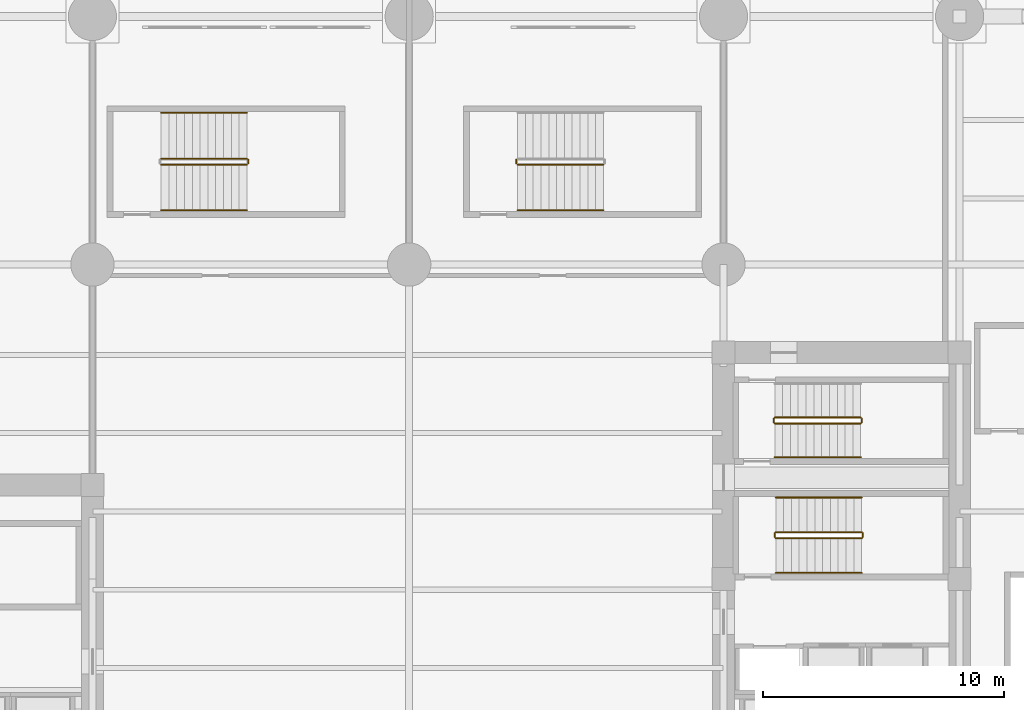
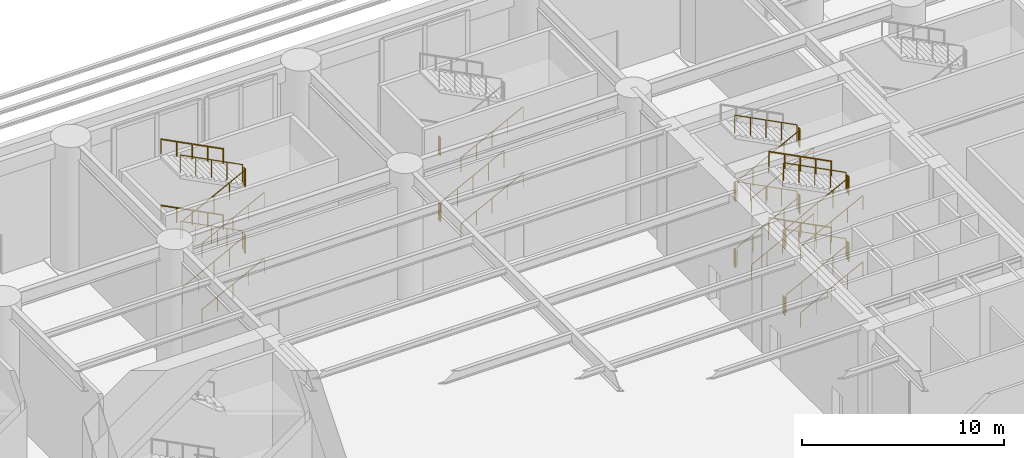
# One storey, part 19 of 25: 37 railings.
"""IFC4 building model written with IfcOpenShell, lengths in metres."""

from ifc_helpers import new_model, si_unit, direction, frame, origin, origin_2d, place, context, subcontext, project, spatial, circle, extrude, material, type_object, element, save


model = new_model("IFC4")

# Units and contexts
model_context = context("Model", 3, precision=1e-05, world=origin(), true_north=direction((0.0, 1.0)))
body_context = subcontext(model_context, "Body", "Model", "MODEL_VIEW")
ifc_project = project(units=[si_unit("LENGTHUNIT", "METRE"), si_unit("AREAUNIT", "SQUARE_METRE"), si_unit("VOLUMEUNIT", "CUBIC_METRE"), si_unit("PLANEANGLEUNIT", "RADIAN"), si_unit("MASSUNIT", "GRAM", prefix="KILO")], contexts=[model_context])

# Site, building, storey
site_placement = place(None, origin())
site = spatial("IfcSite", under=ifc_project, at=site_placement, CompositionType="ELEMENT")
building_placement = place(site_placement, origin())
building = spatial("IfcBuilding", under=site, at=building_placement, Name="Kolvaren Arena Tower", CompositionType="ELEMENT")
storey_placement = place(building_placement, origin())
storey = spatial("IfcBuildingStorey", under=building, at=storey_placement, Name="L00", CompositionType="ELEMENT", Elevation=0.0)

# Railings
ifc_material_1 = material(Name="Painted galvanized steel", Category="steel")
railing_type_1 = type_object("IfcRailingType", Name="GUARD-ST-110", PredefinedType="GUARDRAIL", material=ifc_material_1)
railing_1_placement = place(storey_placement, frame((52.719970703125, 31.639892578125, 0.166748046875)))
element("IfcRailing", 1, at=railing_1_placement, inside=storey, type_object=railing_type_1, Name="L00 ST-E1 stair guard 1", PredefinedType="GUARDRAIL", context=body_context, shape_type="SweptSolid", body=[
    extrude(circle(Radius=0.02392578125, at=origin_2d()), frame((0.0, 0.0, 1.076171875), z_axis=(0.889251698267, 0.0, 0.45741820813), x_axis=(0.0, 1.0, 0.0)), (0.0, 0.0, 1.0), 4.0078125),
    extrude(circle(Radius=0.02099609375, at=origin_2d()), origin(), (0.0, 0.0, 1.0), 1.052001953125),
    extrude(circle(Radius=0.02099609375, at=origin_2d()), frame((0.89111328125, 0.0, 0.458251953125)), (0.0, 0.0, 1.0), 1.052001953125),
    extrude(circle(Radius=0.02099609375, at=origin_2d()), frame((1.781982421875, 0.0, 0.91650390625)), (0.0, 0.0, 1.0), 1.052001953125),
    extrude(circle(Radius=0.02099609375, at=origin_2d()), frame((2.6728515625, 0.0, 1.375)), (0.0, 0.0, 1.0), 1.052001953125),
    extrude(circle(Radius=0.02099609375, at=origin_2d()), frame((3.56396484375, 0.0, 1.833251953125)), (0.0, 0.0, 1.0), 1.052001953125),
])
railing_2_placement = place(storey_placement, frame((56.333984375, 31.68994140625, 2.0)))
element("IfcRailing", 2, at=railing_2_placement, inside=storey, type_object=railing_type_1, Name="L00 ST-E1 stair guard 2", PredefinedType="GUARDRAIL", context=body_context, shape_type="SweptSolid", body=[
    extrude(circle(Radius=0.02392578125, at=origin_2d()), frame((0.0, 0.0, 1.076171875), z_axis=(0.0, 1.0, 0.0), x_axis=(-1.0, 0.0, 0.0)), (0.0, 0.0, 1.0), 0.150146484375),
    extrude(circle(Radius=0.02099609375, at=origin_2d()), origin(), (0.0, 0.0, 1.0), 1.052001953125),
    extrude(circle(Radius=0.02099609375, at=origin_2d()), frame((0.0, 0.150146484375, 0.0)), (0.0, 0.0, 1.0), 1.052001953125),
])
railing_3_placement = place(storey_placement, frame((56.283935546875, 31.889892578125, 2.166748046875)))
element("IfcRailing", 3, at=railing_3_placement, inside=storey, type_object=railing_type_1, Name="L00 ST-E1 stair guard 3", PredefinedType="GUARDRAIL", context=body_context, shape_type="SweptSolid", body=[
    extrude(circle(Radius=0.02392578125, at=origin_2d()), frame((0.0, 0.0, 1.076171875), z_axis=(-0.889251698267, 0.0, 0.45741820813), x_axis=(0.0, -1.0, 0.0)), (0.0, 0.0, 1.0), 4.0078125),
    extrude(circle(Radius=0.02099609375, at=origin_2d()), origin(), (0.0, 0.0, 1.0), 1.052001953125),
    extrude(circle(Radius=0.02099609375, at=origin_2d()), frame((-0.89111328125, 0.0, 0.458251953125)), (0.0, 0.0, 1.0), 1.052001953125),
    extrude(circle(Radius=0.02099609375, at=origin_2d()), frame((-1.781982421875, 0.0, 0.91650390625)), (0.0, 0.0, 1.0), 1.052001953125),
    extrude(circle(Radius=0.02099609375, at=origin_2d()), frame((-2.6728515625, 0.0, 1.375)), (0.0, 0.0, 1.0), 1.052001953125),
    extrude(circle(Radius=0.02099609375, at=origin_2d()), frame((-3.56396484375, 0.0, 1.833251953125)), (0.0, 0.0, 1.0), 1.052001953125),
])
railing_4_placement = place(storey_placement, frame((52.669921875, 31.68994140625, 4.0)))
element("IfcRailing", 4, at=railing_4_placement, inside=storey, type_object=railing_type_1, Name="L00 ST-E1 stair guard 4", PredefinedType="GUARDRAIL", context=body_context, shape_type="SweptSolid", body=[
    extrude(circle(Radius=0.02392578125, at=origin_2d()), frame((0.0, 0.0, 1.076171875), z_axis=(0.0, 1.0, 0.0), x_axis=(-1.0, 0.0, 0.0)), (0.0, 0.0, 1.0), 0.150146484375),
    extrude(circle(Radius=0.02099609375, at=origin_2d()), origin(), (0.0, 0.0, 1.0), 1.052001953125),
    extrude(circle(Radius=0.02099609375, at=origin_2d()), frame((0.0, 0.150146484375, 0.0)), (0.0, 0.0, 1.0), 1.052001953125),
])
railing_5_placement = place(storey_placement, frame((52.719970703125, 31.639892578125, 4.166748046875)))
element("IfcRailing", 5, at=railing_5_placement, inside=storey, type_object=railing_type_1, Name="L00 ST-E1 stair guard 5", PredefinedType="GUARDRAIL", context=body_context, shape_type="SweptSolid", body=[
    extrude(circle(Radius=0.02392578125, at=origin_2d()), frame((0.0, 0.0, 1.076171875), z_axis=(0.889251698267, 0.0, 0.45741820813), x_axis=(0.0, 1.0, 0.0)), (0.0, 0.0, 1.0), 4.0078125),
    extrude(circle(Radius=0.02099609375, at=origin_2d()), origin(), (0.0, 0.0, 1.0), 1.052001953125),
    extrude(circle(Radius=0.02099609375, at=origin_2d()), frame((0.89111328125, 0.0, 0.458251953125)), (0.0, 0.0, 1.0), 1.052001953125),
    extrude(circle(Radius=0.02099609375, at=origin_2d()), frame((1.781982421875, 0.0, 0.91650390625)), (0.0, 0.0, 1.0), 1.052001953125),
    extrude(circle(Radius=0.02099609375, at=origin_2d()), frame((2.6728515625, 0.0, 1.375)), (0.0, 0.0, 1.0), 1.052001953125),
    extrude(circle(Radius=0.02099609375, at=origin_2d()), frame((3.56396484375, 0.0, 1.833251953125)), (0.0, 0.0, 1.0), 1.052001953125),
])
railing_6_placement = place(storey_placement, frame((56.333984375, 31.68994140625, 6.0)))
element("IfcRailing", 6, at=railing_6_placement, inside=storey, type_object=railing_type_1, Name="L00 ST-E1 stair guard 6", PredefinedType="GUARDRAIL", context=body_context, shape_type="SweptSolid", body=[
    extrude(circle(Radius=0.02392578125, at=origin_2d()), frame((0.0, 0.0, 1.076171875), z_axis=(0.0, 1.0, 0.0), x_axis=(-1.0, 0.0, 0.0)), (0.0, 0.0, 1.0), 0.150146484375),
    extrude(circle(Radius=0.02099609375, at=origin_2d()), origin(), (0.0, 0.0, 1.0), 1.052001953125),
    extrude(circle(Radius=0.02099609375, at=origin_2d()), frame((0.0, 0.150146484375, 0.0)), (0.0, 0.0, 1.0), 1.052001953125),
])
railing_7_placement = place(storey_placement, frame((56.283935546875, 31.889892578125, 6.166748046875)))
element("IfcRailing", 7, at=railing_7_placement, inside=storey, type_object=railing_type_1, Name="L00 ST-E1 stair guard 7", PredefinedType="GUARDRAIL", context=body_context, shape_type="SweptSolid", body=[
    extrude(circle(Radius=0.02392578125, at=origin_2d()), frame((0.0, 0.0, 1.076171875), z_axis=(-0.889251698267, 0.0, 0.45741820813), x_axis=(0.0, -1.0, 0.0)), (0.0, 0.0, 1.0), 4.0078125),
    extrude(circle(Radius=0.02099609375, at=origin_2d()), origin(), (0.0, 0.0, 1.0), 1.052001953125),
    extrude(circle(Radius=0.02099609375, at=origin_2d()), frame((-0.89111328125, 0.0, 0.458251953125)), (0.0, 0.0, 1.0), 1.052001953125),
    extrude(circle(Radius=0.02099609375, at=origin_2d()), frame((-1.781982421875, 0.0, 0.91650390625)), (0.0, 0.0, 1.0), 1.052001953125),
    extrude(circle(Radius=0.02099609375, at=origin_2d()), frame((-2.6728515625, 0.0, 1.375)), (0.0, 0.0, 1.0), 1.052001953125),
    extrude(circle(Radius=0.02099609375, at=origin_2d()), frame((-3.56396484375, 0.0, 1.833251953125)), (0.0, 0.0, 1.0), 1.052001953125),
])
railing_8_placement = place(storey_placement, frame((52.669921875, 31.68994140625, 0.0)))
element("IfcRailing", 8, at=railing_8_placement, inside=storey, type_object=railing_type_1, Name="L00 ST-E1 stair guard 8", PredefinedType="GUARDRAIL", context=body_context, shape_type="SweptSolid", body=[
    extrude(circle(Radius=0.02392578125, at=origin_2d()), frame((0.0, 0.0, 1.076171875), z_axis=(0.0, 1.0, 0.0), x_axis=(-1.0, 0.0, 0.0)), (0.0, 0.0, 1.0), 0.150146484375),
    extrude(circle(Radius=0.02099609375, at=origin_2d()), origin(), (0.0, 0.0, 1.0), 1.052001953125),
    extrude(circle(Radius=0.02099609375, at=origin_2d()), frame((0.0, 0.150146484375, 0.0)), (0.0, 0.0, 1.0), 1.052001953125),
])
railing_9_placement = place(storey_placement, frame((52.679931640625, 36.39990234375, 0.166748046875)))
element("IfcRailing", 9, at=railing_9_placement, inside=storey, type_object=railing_type_1, Name="L00 ST-E2 stair guard 1", PredefinedType="GUARDRAIL", context=body_context, shape_type="SweptSolid", body=[
    extrude(circle(Radius=0.02392578125, at=origin_2d()), frame((0.0, 0.0, 1.076171875), z_axis=(0.889251698267, 0.0, 0.45741820813), x_axis=(0.0, 1.0, 0.0)), (0.0, 0.0, 1.0), 4.0078125),
    extrude(circle(Radius=0.02099609375, at=origin_2d()), origin(), (0.0, 0.0, 1.0), 1.052001953125),
    extrude(circle(Radius=0.02099609375, at=origin_2d()), frame((0.89111328125, 0.0, 0.458251953125)), (0.0, 0.0, 1.0), 1.052001953125),
    extrude(circle(Radius=0.02099609375, at=origin_2d()), frame((1.781982421875, 0.0, 0.91650390625)), (0.0, 0.0, 1.0), 1.052001953125),
    extrude(circle(Radius=0.02099609375, at=origin_2d()), frame((2.6728515625, 0.0, 1.375)), (0.0, 0.0, 1.0), 1.052001953125),
    extrude(circle(Radius=0.02099609375, at=origin_2d()), frame((3.56396484375, 0.0, 1.833251953125)), (0.0, 0.0, 1.0), 1.052001953125),
])
railing_10_placement = place(storey_placement, frame((56.2939453125, 36.449951171875, 2.0)))
element("IfcRailing", 10, at=railing_10_placement, inside=storey, type_object=railing_type_1, Name="L00 ST-E2 stair guard 2", PredefinedType="GUARDRAIL", context=body_context, shape_type="SweptSolid", body=[
    extrude(circle(Radius=0.02392578125, at=origin_2d()), frame((0.0, 0.0, 1.076171875), z_axis=(0.0, 1.0, 0.0), x_axis=(-1.0, 0.0, 0.0)), (0.0, 0.0, 1.0), 0.150146484375),
    extrude(circle(Radius=0.02099609375, at=origin_2d()), origin(), (0.0, 0.0, 1.0), 1.052001953125),
    extrude(circle(Radius=0.02099609375, at=origin_2d()), frame((0.0, 0.150146484375, 0.0)), (0.0, 0.0, 1.0), 1.052001953125),
])
railing_11_placement = place(storey_placement, frame((56.243896484375, 36.64990234375, 2.166748046875)))
element("IfcRailing", 11, at=railing_11_placement, inside=storey, type_object=railing_type_1, Name="L00 ST-E2 stair guard 3", PredefinedType="GUARDRAIL", context=body_context, shape_type="SweptSolid", body=[
    extrude(circle(Radius=0.02392578125, at=origin_2d()), frame((0.0, 0.0, 1.076171875), z_axis=(-0.889251698267, 0.0, 0.45741820813), x_axis=(0.0, -1.0, 0.0)), (0.0, 0.0, 1.0), 4.0078125),
    extrude(circle(Radius=0.02099609375, at=origin_2d()), origin(), (0.0, 0.0, 1.0), 1.052001953125),
    extrude(circle(Radius=0.02099609375, at=origin_2d()), frame((-0.89111328125, 0.0, 0.458251953125)), (0.0, 0.0, 1.0), 1.052001953125),
    extrude(circle(Radius=0.02099609375, at=origin_2d()), frame((-1.781982421875, 0.0, 0.91650390625)), (0.0, 0.0, 1.0), 1.052001953125),
    extrude(circle(Radius=0.02099609375, at=origin_2d()), frame((-2.6728515625, 0.0, 1.375)), (0.0, 0.0, 1.0), 1.052001953125),
    extrude(circle(Radius=0.02099609375, at=origin_2d()), frame((-3.56396484375, 0.0, 1.833251953125)), (0.0, 0.0, 1.0), 1.052001953125),
])
railing_12_placement = place(storey_placement, frame((52.6298828125, 36.449951171875, 4.0)))
element("IfcRailing", 12, at=railing_12_placement, inside=storey, type_object=railing_type_1, Name="L00 ST-E2 stair guard 4", PredefinedType="GUARDRAIL", context=body_context, shape_type="SweptSolid", body=[
    extrude(circle(Radius=0.02392578125, at=origin_2d()), frame((0.0, 0.0, 1.076171875), z_axis=(0.0, 1.0, 0.0), x_axis=(-1.0, 0.0, 0.0)), (0.0, 0.0, 1.0), 0.150146484375),
    extrude(circle(Radius=0.02099609375, at=origin_2d()), origin(), (0.0, 0.0, 1.0), 1.052001953125),
    extrude(circle(Radius=0.02099609375, at=origin_2d()), frame((0.0, 0.150146484375, 0.0)), (0.0, 0.0, 1.0), 1.052001953125),
])
railing_13_placement = place(storey_placement, frame((52.679931640625, 36.39990234375, 4.166748046875)))
element("IfcRailing", 13, at=railing_13_placement, inside=storey, type_object=railing_type_1, Name="L00 ST-E2 stair guard 5", PredefinedType="GUARDRAIL", context=body_context, shape_type="SweptSolid", body=[
    extrude(circle(Radius=0.02392578125, at=origin_2d()), frame((0.0, 0.0, 1.076171875), z_axis=(0.889251698267, 0.0, 0.45741820813), x_axis=(0.0, 1.0, 0.0)), (0.0, 0.0, 1.0), 4.0078125),
    extrude(circle(Radius=0.02099609375, at=origin_2d()), origin(), (0.0, 0.0, 1.0), 1.052001953125),
    extrude(circle(Radius=0.02099609375, at=origin_2d()), frame((0.89111328125, 0.0, 0.458251953125)), (0.0, 0.0, 1.0), 1.052001953125),
    extrude(circle(Radius=0.02099609375, at=origin_2d()), frame((1.781982421875, 0.0, 0.91650390625)), (0.0, 0.0, 1.0), 1.052001953125),
    extrude(circle(Radius=0.02099609375, at=origin_2d()), frame((2.6728515625, 0.0, 1.375)), (0.0, 0.0, 1.0), 1.052001953125),
    extrude(circle(Radius=0.02099609375, at=origin_2d()), frame((3.56396484375, 0.0, 1.833251953125)), (0.0, 0.0, 1.0), 1.052001953125),
])
railing_14_placement = place(storey_placement, frame((56.2939453125, 36.449951171875, 6.0)))
element("IfcRailing", 14, at=railing_14_placement, inside=storey, type_object=railing_type_1, Name="L00 ST-E2 stair guard 6", PredefinedType="GUARDRAIL", context=body_context, shape_type="SweptSolid", body=[
    extrude(circle(Radius=0.02392578125, at=origin_2d()), frame((0.0, 0.0, 1.076171875), z_axis=(0.0, 1.0, 0.0), x_axis=(-1.0, 0.0, 0.0)), (0.0, 0.0, 1.0), 0.150146484375),
    extrude(circle(Radius=0.02099609375, at=origin_2d()), origin(), (0.0, 0.0, 1.0), 1.052001953125),
    extrude(circle(Radius=0.02099609375, at=origin_2d()), frame((0.0, 0.150146484375, 0.0)), (0.0, 0.0, 1.0), 1.052001953125),
])
railing_15_placement = place(storey_placement, frame((56.243896484375, 36.64990234375, 6.166748046875)))
element("IfcRailing", 15, at=railing_15_placement, inside=storey, type_object=railing_type_1, Name="L00 ST-E2 stair guard 7", PredefinedType="GUARDRAIL", context=body_context, shape_type="SweptSolid", body=[
    extrude(circle(Radius=0.02392578125, at=origin_2d()), frame((0.0, 0.0, 1.076171875), z_axis=(-0.889251698267, 0.0, 0.45741820813), x_axis=(0.0, -1.0, 0.0)), (0.0, 0.0, 1.0), 4.0078125),
    extrude(circle(Radius=0.02099609375, at=origin_2d()), origin(), (0.0, 0.0, 1.0), 1.052001953125),
    extrude(circle(Radius=0.02099609375, at=origin_2d()), frame((-0.89111328125, 0.0, 0.458251953125)), (0.0, 0.0, 1.0), 1.052001953125),
    extrude(circle(Radius=0.02099609375, at=origin_2d()), frame((-1.781982421875, 0.0, 0.91650390625)), (0.0, 0.0, 1.0), 1.052001953125),
    extrude(circle(Radius=0.02099609375, at=origin_2d()), frame((-2.6728515625, 0.0, 1.375)), (0.0, 0.0, 1.0), 1.052001953125),
    extrude(circle(Radius=0.02099609375, at=origin_2d()), frame((-3.56396484375, 0.0, 1.833251953125)), (0.0, 0.0, 1.0), 1.052001953125),
])
railing_16_placement = place(storey_placement, frame((52.6298828125, 36.449951171875, 0.0)))
element("IfcRailing", 16, at=railing_16_placement, inside=storey, type_object=railing_type_1, Name="L00 ST-E2 stair guard 8", PredefinedType="GUARDRAIL", context=body_context, shape_type="SweptSolid", body=[
    extrude(circle(Radius=0.02392578125, at=origin_2d()), frame((0.0, 0.0, 1.076171875), z_axis=(0.0, 1.0, 0.0), x_axis=(-1.0, 0.0, 0.0)), (0.0, 0.0, 1.0), 0.150146484375),
    extrude(circle(Radius=0.02099609375, at=origin_2d()), origin(), (0.0, 0.0, 1.0), 1.052001953125),
    extrude(circle(Radius=0.02099609375, at=origin_2d()), frame((0.0, 0.150146484375, 0.0)), (0.0, 0.0, 1.0), 1.052001953125),
])
railing_17_placement = place(storey_placement, frame((27.199951171875, 47.14990234375, 0.166748046875)))
element("IfcRailing", 17, at=railing_17_placement, inside=storey, type_object=railing_type_1, Name="L00 ST-A6 stair guard 1", PredefinedType="GUARDRAIL", context=body_context, shape_type="SweptSolid", body=[
    extrude(circle(Radius=0.02392578125, at=origin_2d()), frame((0.0, 0.0, 1.076171875), z_axis=(0.889251698267, 0.0, 0.45741820813), x_axis=(0.0, 1.0, 0.0)), (0.0, 0.0, 1.0), 4.0078125),
    extrude(circle(Radius=0.02099609375, at=origin_2d()), origin(), (0.0, 0.0, 1.0), 1.052001953125),
    extrude(circle(Radius=0.02099609375, at=origin_2d()), frame((0.89111328125, 0.0, 0.458251953125)), (0.0, 0.0, 1.0), 1.052001953125),
    extrude(circle(Radius=0.02099609375, at=origin_2d()), frame((1.781982421875, 0.0, 0.91650390625)), (0.0, 0.0, 1.0), 1.052001953125),
    extrude(circle(Radius=0.02099609375, at=origin_2d()), frame((2.6728515625, 0.0, 1.375)), (0.0, 0.0, 1.0), 1.052001953125),
    extrude(circle(Radius=0.02099609375, at=origin_2d()), frame((3.56396484375, 0.0, 1.833251953125)), (0.0, 0.0, 1.0), 1.052001953125),
])
railing_18_placement = place(storey_placement, frame((30.81396484375, 47.199951171875, 2.0)))
element("IfcRailing", 18, at=railing_18_placement, inside=storey, type_object=railing_type_1, Name="L00 ST-A6 stair guard 2", PredefinedType="GUARDRAIL", context=body_context, shape_type="SweptSolid", body=[
    extrude(circle(Radius=0.02392578125, at=origin_2d()), frame((0.0, 0.0, 1.076171875), z_axis=(0.0, 1.0, 0.0), x_axis=(-1.0, 0.0, 0.0)), (0.0, 0.0, 1.0), 0.150146484375),
    extrude(circle(Radius=0.02099609375, at=origin_2d()), origin(), (0.0, 0.0, 1.0), 1.052001953125),
    extrude(circle(Radius=0.02099609375, at=origin_2d()), frame((0.0, 0.150146484375, 0.0)), (0.0, 0.0, 1.0), 1.052001953125),
])
railing_19_placement = place(storey_placement, frame((30.763916015625, 47.39990234375, 2.166748046875)))
element("IfcRailing", 19, at=railing_19_placement, inside=storey, type_object=railing_type_1, Name="L00 ST-A6 stair guard 3", PredefinedType="GUARDRAIL", context=body_context, shape_type="SweptSolid", body=[
    extrude(circle(Radius=0.02392578125, at=origin_2d()), frame((0.0, 0.0, 1.076171875), z_axis=(-0.889251698267, 0.0, 0.45741820813), x_axis=(0.0, -1.0, 0.0)), (0.0, 0.0, 1.0), 4.0078125),
    extrude(circle(Radius=0.02099609375, at=origin_2d()), origin(), (0.0, 0.0, 1.0), 1.052001953125),
    extrude(circle(Radius=0.02099609375, at=origin_2d()), frame((-0.89111328125, 0.0, 0.458251953125)), (0.0, 0.0, 1.0), 1.052001953125),
    extrude(circle(Radius=0.02099609375, at=origin_2d()), frame((-1.781982421875, 0.0, 0.91650390625)), (0.0, 0.0, 1.0), 1.052001953125),
    extrude(circle(Radius=0.02099609375, at=origin_2d()), frame((-2.6728515625, 0.0, 1.375)), (0.0, 0.0, 1.0), 1.052001953125),
    extrude(circle(Radius=0.02099609375, at=origin_2d()), frame((-3.56396484375, 0.0, 1.833251953125)), (0.0, 0.0, 1.0), 1.052001953125),
])
railing_20_placement = place(storey_placement, frame((27.199951171875, 47.14990234375, 4.166748046875)))
element("IfcRailing", 20, at=railing_20_placement, inside=storey, type_object=railing_type_1, Name="L00 ST-A6 stair guard 5", PredefinedType="GUARDRAIL", context=body_context, shape_type="SweptSolid", body=[
    extrude(circle(Radius=0.02392578125, at=origin_2d()), frame((0.0, 0.0, 1.076171875), z_axis=(0.889251698267, 0.0, 0.45741820813), x_axis=(0.0, 1.0, 0.0)), (0.0, 0.0, 1.0), 4.0078125),
    extrude(circle(Radius=0.02099609375, at=origin_2d()), origin(), (0.0, 0.0, 1.0), 1.052001953125),
    extrude(circle(Radius=0.02099609375, at=origin_2d()), frame((0.89111328125, 0.0, 0.458251953125)), (0.0, 0.0, 1.0), 1.052001953125),
    extrude(circle(Radius=0.02099609375, at=origin_2d()), frame((1.781982421875, 0.0, 0.91650390625)), (0.0, 0.0, 1.0), 1.052001953125),
    extrude(circle(Radius=0.02099609375, at=origin_2d()), frame((2.6728515625, 0.0, 1.375)), (0.0, 0.0, 1.0), 1.052001953125),
    extrude(circle(Radius=0.02099609375, at=origin_2d()), frame((3.56396484375, 0.0, 1.833251953125)), (0.0, 0.0, 1.0), 1.052001953125),
])
railing_21_placement = place(storey_placement, frame((30.81396484375, 47.199951171875, 6.0)))
element("IfcRailing", 21, at=railing_21_placement, inside=storey, type_object=railing_type_1, Name="L00 ST-A6 stair guard 6", PredefinedType="GUARDRAIL", context=body_context, shape_type="SweptSolid", body=[
    extrude(circle(Radius=0.02392578125, at=origin_2d()), frame((0.0, 0.0, 1.076171875), z_axis=(0.0, 1.0, 0.0), x_axis=(-1.0, 0.0, 0.0)), (0.0, 0.0, 1.0), 0.150146484375),
    extrude(circle(Radius=0.02099609375, at=origin_2d()), origin(), (0.0, 0.0, 1.0), 1.052001953125),
    extrude(circle(Radius=0.02099609375, at=origin_2d()), frame((0.0, 0.150146484375, 0.0)), (0.0, 0.0, 1.0), 1.052001953125),
])
railing_22_placement = place(storey_placement, frame((30.763916015625, 47.39990234375, 6.166748046875)))
element("IfcRailing", 22, at=railing_22_placement, inside=storey, type_object=railing_type_1, Name="L00 ST-A6 stair guard 7", PredefinedType="GUARDRAIL", context=body_context, shape_type="SweptSolid", body=[
    extrude(circle(Radius=0.02392578125, at=origin_2d()), frame((0.0, 0.0, 1.076171875), z_axis=(-0.889251698267, 0.0, 0.45741820813), x_axis=(0.0, -1.0, 0.0)), (0.0, 0.0, 1.0), 4.0078125),
    extrude(circle(Radius=0.02099609375, at=origin_2d()), origin(), (0.0, 0.0, 1.0), 1.052001953125),
    extrude(circle(Radius=0.02099609375, at=origin_2d()), frame((-0.89111328125, 0.0, 0.458251953125)), (0.0, 0.0, 1.0), 1.052001953125),
    extrude(circle(Radius=0.02099609375, at=origin_2d()), frame((-1.781982421875, 0.0, 0.91650390625)), (0.0, 0.0, 1.0), 1.052001953125),
    extrude(circle(Radius=0.02099609375, at=origin_2d()), frame((-2.6728515625, 0.0, 1.375)), (0.0, 0.0, 1.0), 1.052001953125),
    extrude(circle(Radius=0.02099609375, at=origin_2d()), frame((-3.56396484375, 0.0, 1.833251953125)), (0.0, 0.0, 1.0), 1.052001953125),
])
railing_23_placement = place(storey_placement, frame((42.0, 47.14990234375, 0.166748046875)))
element("IfcRailing", 23, at=railing_23_placement, inside=storey, type_object=railing_type_1, Name="L00 ST-A7 stair guard 1", PredefinedType="GUARDRAIL", context=body_context, shape_type="SweptSolid", body=[
    extrude(circle(Radius=0.02392578125, at=origin_2d()), frame((0.0, 0.0, 1.076171875), z_axis=(0.889251698267, 0.0, 0.45741820813), x_axis=(0.0, 1.0, 0.0)), (0.0, 0.0, 1.0), 4.0078125),
    extrude(circle(Radius=0.02099609375, at=origin_2d()), origin(), (0.0, 0.0, 1.0), 1.052001953125),
    extrude(circle(Radius=0.02099609375, at=origin_2d()), frame((0.89111328125, 0.0, 0.458251953125)), (0.0, 0.0, 1.0), 1.052001953125),
    extrude(circle(Radius=0.02099609375, at=origin_2d()), frame((1.781982421875, 0.0, 0.91650390625)), (0.0, 0.0, 1.0), 1.052001953125),
    extrude(circle(Radius=0.02099609375, at=origin_2d()), frame((2.6728515625, 0.0, 1.375)), (0.0, 0.0, 1.0), 1.052001953125),
    extrude(circle(Radius=0.02099609375, at=origin_2d()), frame((3.56396484375, 0.0, 1.833251953125)), (0.0, 0.0, 1.0), 1.052001953125),
])
for number, where, name in (
    (24, (41.949951171875, 47.199951171875, 4.0), "L00 ST-A7 stair guard 4"),
    (25, (41.949951171875, 47.199951171875, 0.0), "L00 ST-A7 stair guard 8"),
):
    element("IfcRailing", number, at=place(storey_placement, frame(where)), inside=storey, type_object=railing_type_1, Name=name, PredefinedType="GUARDRAIL", context=body_context, shape_type="SweptSolid", body=[
        extrude(circle(Radius=0.02392578125, at=origin_2d()), frame((0.0, 0.0, 1.076171875), z_axis=(0.0, 1.0, 0.0), x_axis=(-1.0, 0.0, 0.0)), (0.0, 0.0, 1.0), 0.150146484375),
        extrude(circle(Radius=0.02099609375, at=origin_2d()), origin(), (0.0, 0.0, 1.0), 1.052001953125),
        extrude(circle(Radius=0.02099609375, at=origin_2d()), frame((0.0, 0.150146484375, 0.0)), (0.0, 0.0, 1.0), 1.052001953125),
    ])
ifc_material_2 = material(Name="Brushed stainless steel handrail", Category="steel")
railing_type_2 = type_object("IfcRailingType", Name="HRAIL-900", PredefinedType="HANDRAIL", material=ifc_material_2)
railing_24_placement = place(storey_placement, frame((52.719970703125, 30.199951171875, 0.166748046875)))
element("IfcRailing", 26, at=railing_24_placement, inside=storey, type_object=railing_type_2, Name="L00 ST-E1 stair handrail 1", PredefinedType="HANDRAIL", context=body_context, shape_type="SweptSolid", body=[
    extrude(circle(Radius=0.02392578125, at=origin_2d()), frame((0.0, 0.0, 0.8759765625), z_axis=(0.889251698267, 0.0, 0.45741820813), x_axis=(0.0, 1.0, 0.0)), (0.0, 0.0, 1.0), 4.0078125),
    extrude(circle(Radius=0.02099609375, at=origin_2d()), origin(), (0.0, 0.0, 1.0), 0.851806640625),
    extrude(circle(Radius=0.02099609375, at=origin_2d()), frame((0.89111328125, 0.0, 0.458251953125)), (0.0, 0.0, 1.0), 0.851806640625),
    extrude(circle(Radius=0.02099609375, at=origin_2d()), frame((1.781982421875, 0.0, 0.91650390625)), (0.0, 0.0, 1.0), 0.851806640625),
    extrude(circle(Radius=0.02099609375, at=origin_2d()), frame((2.6728515625, 0.0, 1.375)), (0.0, 0.0, 1.0), 0.851806640625),
    extrude(circle(Radius=0.02099609375, at=origin_2d()), frame((3.56396484375, 0.0, 1.833251953125)), (0.0, 0.0, 1.0), 0.851806640625),
])
railing_25_placement = place(storey_placement, frame((56.283935546875, 33.330078125, 2.166748046875)))
element("IfcRailing", 27, at=railing_25_placement, inside=storey, type_object=railing_type_2, Name="L00 ST-E1 stair handrail 2", PredefinedType="HANDRAIL", context=body_context, shape_type="SweptSolid", body=[
    extrude(circle(Radius=0.02392578125, at=origin_2d()), frame((0.0, 0.0, 0.8759765625), z_axis=(-0.889251698267, 0.0, 0.45741820813), x_axis=(0.0, -1.0, 0.0)), (0.0, 0.0, 1.0), 4.0078125),
    extrude(circle(Radius=0.02099609375, at=origin_2d()), origin(), (0.0, 0.0, 1.0), 0.851806640625),
    extrude(circle(Radius=0.02099609375, at=origin_2d()), frame((-0.89111328125, 0.0, 0.458251953125)), (0.0, 0.0, 1.0), 0.851806640625),
    extrude(circle(Radius=0.02099609375, at=origin_2d()), frame((-1.781982421875, 0.0, 0.91650390625)), (0.0, 0.0, 1.0), 0.851806640625),
    extrude(circle(Radius=0.02099609375, at=origin_2d()), frame((-2.6728515625, 0.0, 1.375)), (0.0, 0.0, 1.0), 0.851806640625),
    extrude(circle(Radius=0.02099609375, at=origin_2d()), frame((-3.56396484375, 0.0, 1.833251953125)), (0.0, 0.0, 1.0), 0.851806640625),
])
railing_26_placement = place(storey_placement, frame((52.719970703125, 30.199951171875, 4.166748046875)))
element("IfcRailing", 28, at=railing_26_placement, inside=storey, type_object=railing_type_2, Name="L00 ST-E1 stair handrail 3", PredefinedType="HANDRAIL", context=body_context, shape_type="SweptSolid", body=[
    extrude(circle(Radius=0.02392578125, at=origin_2d()), frame((0.0, 0.0, 0.8759765625), z_axis=(0.889251698267, 0.0, 0.45741820813), x_axis=(0.0, 1.0, 0.0)), (0.0, 0.0, 1.0), 4.0078125),
    extrude(circle(Radius=0.02099609375, at=origin_2d()), origin(), (0.0, 0.0, 1.0), 0.851806640625),
    extrude(circle(Radius=0.02099609375, at=origin_2d()), frame((0.89111328125, 0.0, 0.458251953125)), (0.0, 0.0, 1.0), 0.851806640625),
    extrude(circle(Radius=0.02099609375, at=origin_2d()), frame((1.781982421875, 0.0, 0.91650390625)), (0.0, 0.0, 1.0), 0.851806640625),
    extrude(circle(Radius=0.02099609375, at=origin_2d()), frame((2.6728515625, 0.0, 1.375)), (0.0, 0.0, 1.0), 0.851806640625),
    extrude(circle(Radius=0.02099609375, at=origin_2d()), frame((3.56396484375, 0.0, 1.833251953125)), (0.0, 0.0, 1.0), 0.851806640625),
])
railing_27_placement = place(storey_placement, frame((56.283935546875, 33.330078125, 6.166748046875)))
element("IfcRailing", 29, at=railing_27_placement, inside=storey, type_object=railing_type_2, Name="L00 ST-E1 stair handrail 4", PredefinedType="HANDRAIL", context=body_context, shape_type="SweptSolid", body=[
    extrude(circle(Radius=0.02392578125, at=origin_2d()), frame((0.0, 0.0, 0.8759765625), z_axis=(-0.889251698267, 0.0, 0.45741820813), x_axis=(0.0, -1.0, 0.0)), (0.0, 0.0, 1.0), 4.0078125),
    extrude(circle(Radius=0.02099609375, at=origin_2d()), origin(), (0.0, 0.0, 1.0), 0.851806640625),
    extrude(circle(Radius=0.02099609375, at=origin_2d()), frame((-0.89111328125, 0.0, 0.458251953125)), (0.0, 0.0, 1.0), 0.851806640625),
    extrude(circle(Radius=0.02099609375, at=origin_2d()), frame((-1.781982421875, 0.0, 0.91650390625)), (0.0, 0.0, 1.0), 0.851806640625),
    extrude(circle(Radius=0.02099609375, at=origin_2d()), frame((-2.6728515625, 0.0, 1.375)), (0.0, 0.0, 1.0), 0.851806640625),
    extrude(circle(Radius=0.02099609375, at=origin_2d()), frame((-3.56396484375, 0.0, 1.833251953125)), (0.0, 0.0, 1.0), 0.851806640625),
])
for number, where, name in (
    (30, (52.679931640625, 35.0, 0.166748046875), "L00 ST-E2 stair handrail 1"),
    (31, (52.679931640625, 35.0, 4.166748046875), "L00 ST-E2 stair handrail 3"),
    (32, (27.199951171875, 45.25, 0.166748046875), "L00 ST-A6 stair handrail 1"),
):
    element("IfcRailing", number, at=place(storey_placement, frame(where)), inside=storey, type_object=railing_type_2, Name=name, PredefinedType="HANDRAIL", context=body_context, shape_type="SweptSolid", body=[
        extrude(circle(Radius=0.02392578125, at=origin_2d()), frame((0.0, 0.0, 0.8759765625), z_axis=(0.889251698267, 0.0, 0.45741820813), x_axis=(0.0, 1.0, 0.0)), (0.0, 0.0, 1.0), 4.0078125),
        extrude(circle(Radius=0.02099609375, at=origin_2d()), origin(), (0.0, 0.0, 1.0), 0.851806640625),
        extrude(circle(Radius=0.02099609375, at=origin_2d()), frame((0.89111328125, 0.0, 0.458251953125)), (0.0, 0.0, 1.0), 0.851806640625),
        extrude(circle(Radius=0.02099609375, at=origin_2d()), frame((1.781982421875, 0.0, 0.91650390625)), (0.0, 0.0, 1.0), 0.851806640625),
        extrude(circle(Radius=0.02099609375, at=origin_2d()), frame((2.6728515625, 0.0, 1.375)), (0.0, 0.0, 1.0), 0.851806640625),
        extrude(circle(Radius=0.02099609375, at=origin_2d()), frame((3.56396484375, 0.0, 1.833251953125)), (0.0, 0.0, 1.0), 0.851806640625),
    ])
railing_28_placement = place(storey_placement, frame((30.763916015625, 49.300048828125, 2.166748046875)))
element("IfcRailing", 33, at=railing_28_placement, inside=storey, type_object=railing_type_2, Name="L00 ST-A6 stair handrail 2", PredefinedType="HANDRAIL", context=body_context, shape_type="SweptSolid", body=[
    extrude(circle(Radius=0.02392578125, at=origin_2d()), frame((0.0, 0.0, 0.8759765625), z_axis=(-0.889251698267, 0.0, 0.45741820813), x_axis=(0.0, -1.0, 0.0)), (0.0, 0.0, 1.0), 4.0078125),
    extrude(circle(Radius=0.02099609375, at=origin_2d()), origin(), (0.0, 0.0, 1.0), 0.851806640625),
    extrude(circle(Radius=0.02099609375, at=origin_2d()), frame((-0.89111328125, 0.0, 0.458251953125)), (0.0, 0.0, 1.0), 0.851806640625),
    extrude(circle(Radius=0.02099609375, at=origin_2d()), frame((-1.781982421875, 0.0, 0.91650390625)), (0.0, 0.0, 1.0), 0.851806640625),
    extrude(circle(Radius=0.02099609375, at=origin_2d()), frame((-2.6728515625, 0.0, 1.375)), (0.0, 0.0, 1.0), 0.851806640625),
    extrude(circle(Radius=0.02099609375, at=origin_2d()), frame((-3.56396484375, 0.0, 1.833251953125)), (0.0, 0.0, 1.0), 0.851806640625),
])
railing_29_placement = place(storey_placement, frame((27.199951171875, 45.25, 4.166748046875)))
element("IfcRailing", 34, at=railing_29_placement, inside=storey, type_object=railing_type_2, Name="L00 ST-A6 stair handrail 3", PredefinedType="HANDRAIL", context=body_context, shape_type="SweptSolid", body=[
    extrude(circle(Radius=0.02392578125, at=origin_2d()), frame((0.0, 0.0, 0.8759765625), z_axis=(0.889251698267, 0.0, 0.45741820813), x_axis=(0.0, 1.0, 0.0)), (0.0, 0.0, 1.0), 4.0078125),
    extrude(circle(Radius=0.02099609375, at=origin_2d()), origin(), (0.0, 0.0, 1.0), 0.851806640625),
    extrude(circle(Radius=0.02099609375, at=origin_2d()), frame((0.89111328125, 0.0, 0.458251953125)), (0.0, 0.0, 1.0), 0.851806640625),
    extrude(circle(Radius=0.02099609375, at=origin_2d()), frame((1.781982421875, 0.0, 0.91650390625)), (0.0, 0.0, 1.0), 0.851806640625),
    extrude(circle(Radius=0.02099609375, at=origin_2d()), frame((2.6728515625, 0.0, 1.375)), (0.0, 0.0, 1.0), 0.851806640625),
    extrude(circle(Radius=0.02099609375, at=origin_2d()), frame((3.56396484375, 0.0, 1.833251953125)), (0.0, 0.0, 1.0), 0.851806640625),
])
railing_30_placement = place(storey_placement, frame((30.763916015625, 49.300048828125, 6.166748046875)))
element("IfcRailing", 35, at=railing_30_placement, inside=storey, type_object=railing_type_2, Name="L00 ST-A6 stair handrail 4", PredefinedType="HANDRAIL", context=body_context, shape_type="SweptSolid", body=[
    extrude(circle(Radius=0.02392578125, at=origin_2d()), frame((0.0, 0.0, 0.8759765625), z_axis=(-0.889251698267, 0.0, 0.45741820813), x_axis=(0.0, -1.0, 0.0)), (0.0, 0.0, 1.0), 4.0078125),
    extrude(circle(Radius=0.02099609375, at=origin_2d()), origin(), (0.0, 0.0, 1.0), 0.851806640625),
    extrude(circle(Radius=0.02099609375, at=origin_2d()), frame((-0.89111328125, 0.0, 0.458251953125)), (0.0, 0.0, 1.0), 0.851806640625),
    extrude(circle(Radius=0.02099609375, at=origin_2d()), frame((-1.781982421875, 0.0, 0.91650390625)), (0.0, 0.0, 1.0), 0.851806640625),
    extrude(circle(Radius=0.02099609375, at=origin_2d()), frame((-2.6728515625, 0.0, 1.375)), (0.0, 0.0, 1.0), 0.851806640625),
    extrude(circle(Radius=0.02099609375, at=origin_2d()), frame((-3.56396484375, 0.0, 1.833251953125)), (0.0, 0.0, 1.0), 0.851806640625),
])
for number, where, name in (
    (36, (42.0, 45.25, 0.166748046875), "L00 ST-A7 stair handrail 1"),
    (37, (42.0, 45.25, 4.166748046875), "L00 ST-A7 stair handrail 3"),
):
    element("IfcRailing", number, at=place(storey_placement, frame(where)), inside=storey, type_object=railing_type_2, Name=name, PredefinedType="HANDRAIL", context=body_context, shape_type="SweptSolid", body=[
        extrude(circle(Radius=0.02392578125, at=origin_2d()), frame((0.0, 0.0, 0.8759765625), z_axis=(0.889251698267, 0.0, 0.45741820813), x_axis=(0.0, 1.0, 0.0)), (0.0, 0.0, 1.0), 4.0078125),
        extrude(circle(Radius=0.02099609375, at=origin_2d()), origin(), (0.0, 0.0, 1.0), 0.851806640625),
        extrude(circle(Radius=0.02099609375, at=origin_2d()), frame((0.89111328125, 0.0, 0.458251953125)), (0.0, 0.0, 1.0), 0.851806640625),
        extrude(circle(Radius=0.02099609375, at=origin_2d()), frame((1.781982421875, 0.0, 0.91650390625)), (0.0, 0.0, 1.0), 0.851806640625),
        extrude(circle(Radius=0.02099609375, at=origin_2d()), frame((2.6728515625, 0.0, 1.375)), (0.0, 0.0, 1.0), 0.851806640625),
        extrude(circle(Radius=0.02099609375, at=origin_2d()), frame((3.56396484375, 0.0, 1.833251953125)), (0.0, 0.0, 1.0), 0.851806640625),
    ])

save(model, "model.ifc")
